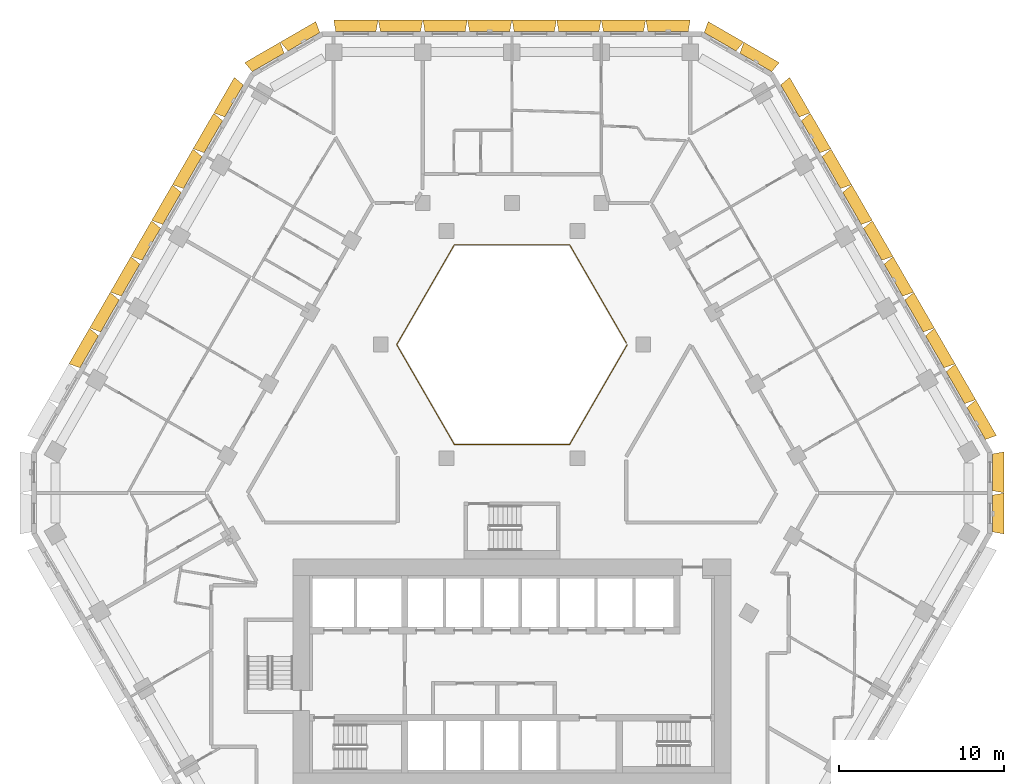
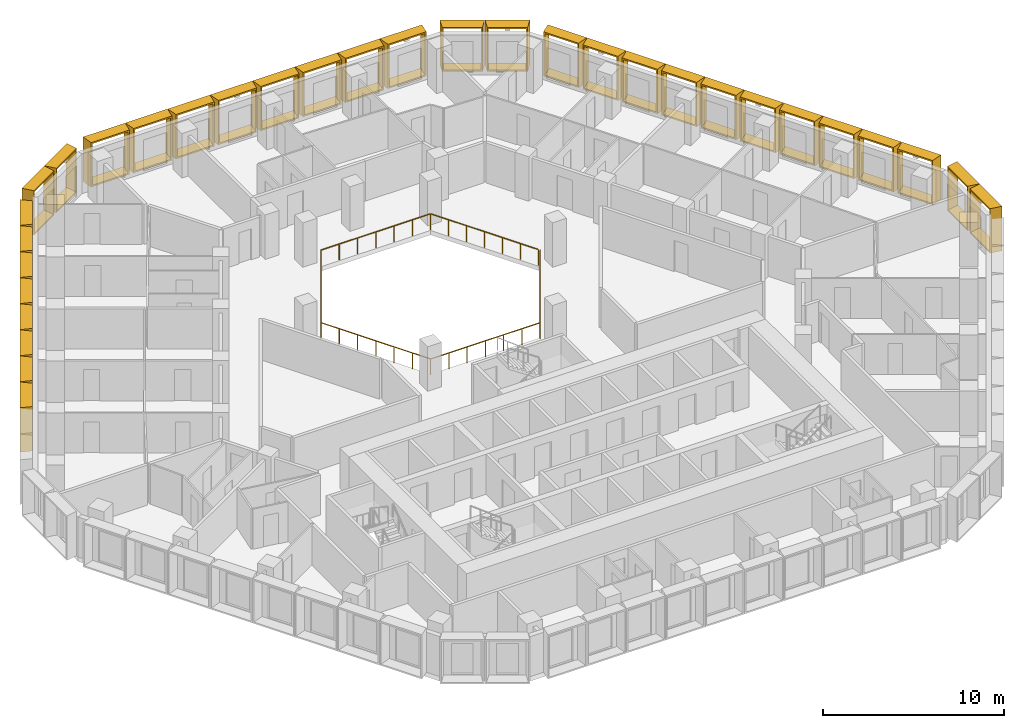
# One storey, part 18 of 18: 32 shading devices, 1 railing.
"""IFC4 building model written with IfcOpenShell, lengths in metres."""

from ifc_helpers import new_model, entity, si_unit, direction, frame, origin, origin_2d, place, context, subcontext, project, spatial, rectangle, extrude, source, transform, mapped, material, type_object, type_shapes, element, save


model = new_model("IFC4")

# Units and contexts
model_context = context("Model", 3, precision=1e-05, world=origin(), true_north=direction((0.0, 1.0)))
body_context = subcontext(model_context, "Body", "Model", "MODEL_VIEW")
ifc_project = project(units=[si_unit("LENGTHUNIT", "METRE"), si_unit("AREAUNIT", "SQUARE_METRE"), si_unit("VOLUMEUNIT", "CUBIC_METRE"), si_unit("PLANEANGLEUNIT", "RADIAN"), si_unit("MASSUNIT", "GRAM", prefix="KILO")], contexts=[model_context])

# Site, building, storey
site_placement = place(None, origin())
site = spatial("IfcSite", under=ifc_project, at=site_placement, CompositionType="ELEMENT")
building_placement = place(site_placement, origin())
building = spatial("IfcBuilding", under=site, at=building_placement, Name="Beryl Residences", CompositionType="ELEMENT")
storey_placement = place(building_placement, frame((0.0, 0.0, 99.0)))
storey = spatial("IfcBuildingStorey", under=building, at=storey_placement, Name="L30", CompositionType="ELEMENT", Elevation=99.0)

# Railing
ifc_material_1 = material(Name="Stainless steel balustrade with glass infill", Category="steel")
railing_type = type_object("IfcRailingType", Name="EG1 edge guard 1100 mm", PredefinedType="GUARDRAIL", material=ifc_material_1)
railing_placement = place(storey_placement, frame((6.9970703125, 8.0, 0.0)))
element("IfcRailing", 1, at=railing_placement, inside=storey, type_object=railing_type, Name="L30 atrium guard", PredefinedType="GUARDRAIL", context=body_context, shape_type="SweptSolid", body=[
    extrude(rectangle(XDim=0.048095703125, YDim=0.048095703125, at=origin_2d()), frame((0.0, 0.0, 1.076171875), z_axis=(-0.499921796684, -0.866070549782, 0.0), x_axis=(0.866070549782, -0.499921796684, 0.0)), (0.0, 0.0, 1.0), 6.9970703125),
    extrude(rectangle(XDim=0.048095703125, YDim=0.048095703125, at=origin_2d()), frame((-3.498046875, -6.06005859375, 1.076171875), z_axis=(-1.0, 0.0, 0.0), x_axis=(0.0, -1.0, 0.0)), (0.0, 0.0, 1.0), 6.998046875),
    extrude(rectangle(XDim=0.048095703125, YDim=0.048095703125, at=origin_2d()), frame((-10.49609375, -6.06005859375, 1.076171875), z_axis=(-0.499921796684, 0.866070549782, 0.0), x_axis=(-0.866070549782, -0.499921796684, 0.0)), (0.0, 0.0, 1.0), 6.9970703125),
    extrude(rectangle(XDim=0.048095703125, YDim=0.048095703125, at=origin_2d()), frame((-13.994140625, 0.0, 1.076171875), z_axis=(0.499921796684, 0.866070549782, 0.0), x_axis=(-0.866070549782, 0.499921796684, 0.0)), (0.0, 0.0, 1.0), 6.9970703125),
    extrude(rectangle(XDim=0.048095703125, YDim=0.048095703125, at=origin_2d()), frame((-10.49609375, 6.06005859375, 1.076171875), z_axis=(1.0, 0.0, 0.0), x_axis=(0.0, 1.0, 0.0)), (0.0, 0.0, 1.0), 6.998046875),
    extrude(rectangle(XDim=0.048095703125, YDim=0.048095703125, at=origin_2d()), frame((-3.498046875, 6.06005859375, 1.076171875), z_axis=(0.499919131929, -0.866072087953, 0.0), x_axis=(0.866072087953, 0.499919131929, 0.0)), (0.0, 0.0, 1.0), 6.877197265625),
    extrude(rectangle(XDim=0.0419921875, YDim=0.0419921875, at=origin_2d()), origin(), (0.0, 0.0, 1.0), 1.052001953125),
    extrude(rectangle(XDim=0.0419921875, YDim=0.0419921875, at=origin_2d()), frame((-0.5830078125, -1.010009765625, 0.0)), (0.0, 0.0, 1.0), 1.052001953125),
    extrude(rectangle(XDim=0.0419921875, YDim=0.0419921875, at=origin_2d()), frame((-1.166015625, -2.02001953125, 0.0)), (0.0, 0.0, 1.0), 1.052001953125),
    extrude(rectangle(XDim=0.0419921875, YDim=0.0419921875, at=origin_2d()), frame((-1.7490234375, -3.030029296875, 0.0)), (0.0, 0.0, 1.0), 1.052001953125),
    extrude(rectangle(XDim=0.0419921875, YDim=0.0419921875, at=origin_2d()), frame((-2.33203125, -4.0400390625, 0.0)), (0.0, 0.0, 1.0), 1.052001953125),
    extrude(rectangle(XDim=0.0419921875, YDim=0.0419921875, at=origin_2d()), frame((-2.9150390625, -5.050048828125, 0.0)), (0.0, 0.0, 1.0), 1.052001953125),
    extrude(rectangle(XDim=0.0419921875, YDim=0.0419921875, at=origin_2d()), frame((-3.498046875, -6.06005859375, 0.0)), (0.0, 0.0, 1.0), 1.052001953125),
    extrude(rectangle(XDim=0.0419921875, YDim=0.0419921875, at=origin_2d()), frame((-4.664306640625, -6.06005859375, 0.0)), (0.0, 0.0, 1.0), 1.052001953125),
    extrude(rectangle(XDim=0.0419921875, YDim=0.0419921875, at=origin_2d()), frame((-5.830810546875, -6.06005859375, 0.0)), (0.0, 0.0, 1.0), 1.052001953125),
    extrude(rectangle(XDim=0.0419921875, YDim=0.0419921875, at=origin_2d()), frame((-6.9970703125, -6.06005859375, 0.0)), (0.0, 0.0, 1.0), 1.052001953125),
    extrude(rectangle(XDim=0.0419921875, YDim=0.0419921875, at=origin_2d()), frame((-8.163330078125, -6.06005859375, 0.0)), (0.0, 0.0, 1.0), 1.052001953125),
    extrude(rectangle(XDim=0.0419921875, YDim=0.0419921875, at=origin_2d()), frame((-9.329833984375, -6.06005859375, 0.0)), (0.0, 0.0, 1.0), 1.052001953125),
    extrude(rectangle(XDim=0.0419921875, YDim=0.0419921875, at=origin_2d()), frame((-10.49609375, -6.06005859375, 0.0)), (0.0, 0.0, 1.0), 1.052001953125),
    extrude(rectangle(XDim=0.0419921875, YDim=0.0419921875, at=origin_2d()), frame((-11.0791015625, -5.050048828125, 0.0)), (0.0, 0.0, 1.0), 1.052001953125),
    extrude(rectangle(XDim=0.0419921875, YDim=0.0419921875, at=origin_2d()), frame((-11.662109375, -4.0400390625, 0.0)), (0.0, 0.0, 1.0), 1.052001953125),
    extrude(rectangle(XDim=0.0419921875, YDim=0.0419921875, at=origin_2d()), frame((-12.2451171875, -3.030029296875, 0.0)), (0.0, 0.0, 1.0), 1.052001953125),
    extrude(rectangle(XDim=0.0419921875, YDim=0.0419921875, at=origin_2d()), frame((-12.828125, -2.02001953125, 0.0)), (0.0, 0.0, 1.0), 1.052001953125),
    extrude(rectangle(XDim=0.0419921875, YDim=0.0419921875, at=origin_2d()), frame((-13.4111328125, -1.010009765625, 0.0)), (0.0, 0.0, 1.0), 1.052001953125),
    extrude(rectangle(XDim=0.0419921875, YDim=0.0419921875, at=origin_2d()), frame((-13.994140625, 0.0, 0.0)), (0.0, 0.0, 1.0), 1.052001953125),
    extrude(rectangle(XDim=0.0419921875, YDim=0.0419921875, at=origin_2d()), frame((-13.4111328125, 1.010009765625, 0.0)), (0.0, 0.0, 1.0), 1.052001953125),
    extrude(rectangle(XDim=0.0419921875, YDim=0.0419921875, at=origin_2d()), frame((-12.828125, 2.02001953125, 0.0)), (0.0, 0.0, 1.0), 1.052001953125),
    extrude(rectangle(XDim=0.0419921875, YDim=0.0419921875, at=origin_2d()), frame((-12.2451171875, 3.030029296875, 0.0)), (0.0, 0.0, 1.0), 1.052001953125),
    extrude(rectangle(XDim=0.0419921875, YDim=0.0419921875, at=origin_2d()), frame((-11.662109375, 4.0400390625, 0.0)), (0.0, 0.0, 1.0), 1.052001953125),
    extrude(rectangle(XDim=0.0419921875, YDim=0.0419921875, at=origin_2d()), frame((-11.0791015625, 5.050048828125, 0.0)), (0.0, 0.0, 1.0), 1.052001953125),
    extrude(rectangle(XDim=0.0419921875, YDim=0.0419921875, at=origin_2d()), frame((-10.49609375, 6.06005859375, 0.0)), (0.0, 0.0, 1.0), 1.052001953125),
    extrude(rectangle(XDim=0.0419921875, YDim=0.0419921875, at=origin_2d()), frame((-9.329833984375, 6.06005859375, 0.0)), (0.0, 0.0, 1.0), 1.052001953125),
    extrude(rectangle(XDim=0.0419921875, YDim=0.0419921875, at=origin_2d()), frame((-8.163330078125, 6.06005859375, 0.0)), (0.0, 0.0, 1.0), 1.052001953125),
    extrude(rectangle(XDim=0.0419921875, YDim=0.0419921875, at=origin_2d()), frame((-6.9970703125, 6.06005859375, 0.0)), (0.0, 0.0, 1.0), 1.052001953125),
    extrude(rectangle(XDim=0.0419921875, YDim=0.0419921875, at=origin_2d()), frame((-5.830810546875, 6.06005859375, 0.0)), (0.0, 0.0, 1.0), 1.052001953125),
    extrude(rectangle(XDim=0.0419921875, YDim=0.0419921875, at=origin_2d()), frame((-4.664306640625, 6.06005859375, 0.0)), (0.0, 0.0, 1.0), 1.052001953125),
    extrude(rectangle(XDim=0.0419921875, YDim=0.0419921875, at=origin_2d()), frame((-3.498046875, 6.06005859375, 0.0)), (0.0, 0.0, 1.0), 1.052001953125),
    extrude(rectangle(XDim=0.0419921875, YDim=0.0419921875, at=origin_2d()), frame((-2.925048828125, 5.0673828125, 0.0)), (0.0, 0.0, 1.0), 1.052001953125),
    extrude(rectangle(XDim=0.0419921875, YDim=0.0419921875, at=origin_2d()), frame((-2.35205078125, 4.07470703125, 0.0)), (0.0, 0.0, 1.0), 1.052001953125),
    extrude(rectangle(XDim=0.0419921875, YDim=0.0419921875, at=origin_2d()), frame((-1.779052734375, 3.08203125, 0.0)), (0.0, 0.0, 1.0), 1.052001953125),
    extrude(rectangle(XDim=0.0419921875, YDim=0.0419921875, at=origin_2d()), frame((-1.2060546875, 2.08935546875, 0.0)), (0.0, 0.0, 1.0), 1.052001953125),
    extrude(rectangle(XDim=0.0419921875, YDim=0.0419921875, at=origin_2d()), frame((-0.633056640625, 1.0966796875, 0.0)), (0.0, 0.0, 1.0), 1.052001953125),
    extrude(rectangle(XDim=0.0419921875, YDim=0.0419921875, at=origin_2d()), frame((-0.06005859375, 0.10400390625, 0.0)), (0.0, 0.0, 1.0), 1.052001953125),
])

# Shading devices
ifc_material_2 = material(Name="Aluminium pale anodised", Category="aluminium")
shading_device_type_1 = type_object("IfcShadingDeviceType", Name="FR250-70A OUTER SKIN frame 700 mm deep, splay 10/10 deg, 2500 x 3000 mm cell", PredefinedType="USERDEFINED", material=ifc_material_2)
cartesian_point_1 = entity("IfcCartesianPoint", [-1.116455078125, 0.0])
cartesian_point_2 = entity("IfcCartesianPoint", [-1.03515625, 0.10009765625])
cartesian_point_3 = entity("IfcCartesianPoint", [-1.239990234375, 0.0])
cartesian_point_4 = entity("IfcCartesianPoint", [-1.15869140625, 0.10009765625])
shared_shape_1 = source(origin(), body_context, "Body", "SweptSolid", [
    entity("IfcExtrudedAreaSolidTapered", entity("IfcArbitraryProfileDefWithVoids", "AREA", None, entity("IfcPolyline", [cartesian_point_1, entity("IfcCartesianPoint", [1.116455078125, 0.0]), entity("IfcCartesianPoint", [1.116455078125, 3.0]), entity("IfcCartesianPoint", [-1.116455078125, 3.0]), cartesian_point_1]), [entity("IfcPolyline", [cartesian_point_2, entity("IfcCartesianPoint", [1.03515625, 0.10009765625]), entity("IfcCartesianPoint", [1.03515625, 2.89990234375]), entity("IfcCartesianPoint", [-1.03515625, 2.89990234375]), cartesian_point_2])]), entity("IfcAxis2Placement3D", entity("IfcCartesianPoint", [0.0, 0.0, 0.0]), entity("IfcDirection", [0.0, 1.0, 0.0]), entity("IfcDirection", [-1.0, 0.0, 0.0])), entity("IfcDirection", [0.0, 0.0, 1.0]), 0.699951171875, entity("IfcArbitraryProfileDefWithVoids", "AREA", None, entity("IfcPolyline", [cartesian_point_3, entity("IfcCartesianPoint", [1.239990234375, 0.0]), entity("IfcCartesianPoint", [1.239990234375, 3.0]), entity("IfcCartesianPoint", [-1.239990234375, 3.0]), cartesian_point_3]), [entity("IfcPolyline", [cartesian_point_4, entity("IfcCartesianPoint", [1.15869140625, 0.10009765625]), entity("IfcCartesianPoint", [1.15869140625, 2.89990234375]), entity("IfcCartesianPoint", [-1.15869140625, 2.89990234375]), cartesian_point_4])])),
])
type_shapes(shading_device_type_1, [shared_shape_1])
for number, where, z_axis, x_axis, name in (
    (2, (-12.6298828125, 26.375, 0.0), (0.0, 0.0, 1.0), (0.866025403784, 0.5, 0.0), "FR250-70A frame L30 N-NW 1"),
    (3, (-14.7939453125, 25.125, 0.0), (0.0, 0.0, 1.0), (0.866025403784, 0.5, 0.0), "FR250-70A frame L30 N-NW 2"),
    (4, (29.156982421875, -2.25, 0.0), (0.0, 0.0, 1.0), (0.0, -1.0, 0.0), "FR250-70A frame L30 SE-NE 1"),
    (5, (29.156982421875, 0.25, 0.0), (0.0, 0.0, 1.0), (0.0, -1.0, 0.0), "FR250-70A frame L30 SE-NE 2"),
    (6, (14.7939453125, 25.125, 0.0), (0.0, 0.0, 1.0), (0.866025403784, -0.5, 0.0), "FR250-70A frame L30 NE-N 1"),
    (7, (12.6298828125, 26.375, 0.0), (0.0, 0.0, 1.0), (0.866025403784, -0.5, 0.0), "FR250-70A frame L30 NE-N 2"),
):
    element("IfcShadingDevice", number, at=place(storey_placement, frame(where, z_axis=z_axis, x_axis=x_axis)), inside=storey, type_object=shading_device_type_1, Name=name, ObjectType="OUTER SKIN", PredefinedType="USERDEFINED", context=body_context, shape_type="MappedRepresentation", body=[
        mapped(shared_shape_1, transform((0.0, 0.0, 0.0))),
    ])
ifc_material_3 = material(Name="Aluminium pale anodised", Category="aluminium")
shading_device_type_2 = type_object("IfcShadingDeviceType", Name="FR251-70A OUTER SKIN frame 700 mm deep, splay 10/10 deg, 2510 x 3000 mm cell", PredefinedType="USERDEFINED", material=ifc_material_3)
cartesian_point_5 = entity("IfcCartesianPoint", [-1.12158203125, 0.0])
cartesian_point_6 = entity("IfcCartesianPoint", [-1.040283203125, 0.10009765625])
cartesian_point_7 = entity("IfcCartesianPoint", [-1.244873046875, 0.0])
cartesian_point_8 = entity("IfcCartesianPoint", [-1.16357421875, 0.10009765625])
shared_shape_2 = source(origin(), body_context, "Body", "SweptSolid", [
    entity("IfcExtrudedAreaSolidTapered", entity("IfcArbitraryProfileDefWithVoids", "AREA", None, entity("IfcPolyline", [cartesian_point_5, entity("IfcCartesianPoint", [1.12158203125, 0.0]), entity("IfcCartesianPoint", [1.12158203125, 3.0]), entity("IfcCartesianPoint", [-1.12158203125, 3.0]), cartesian_point_5]), [entity("IfcPolyline", [cartesian_point_6, entity("IfcCartesianPoint", [1.040283203125, 0.10009765625]), entity("IfcCartesianPoint", [1.040283203125, 2.89990234375]), entity("IfcCartesianPoint", [-1.040283203125, 2.89990234375]), cartesian_point_6])]), entity("IfcAxis2Placement3D", entity("IfcCartesianPoint", [0.0, 0.0, 0.0]), entity("IfcDirection", [0.0, 1.0, 0.0]), entity("IfcDirection", [-1.0, 0.0, 0.0])), entity("IfcDirection", [0.0, 0.0, 1.0]), 0.699951171875, entity("IfcArbitraryProfileDefWithVoids", "AREA", None, entity("IfcPolyline", [cartesian_point_7, entity("IfcCartesianPoint", [1.244873046875, 0.0]), entity("IfcCartesianPoint", [1.244873046875, 3.0]), entity("IfcCartesianPoint", [-1.244873046875, 3.0]), cartesian_point_7]), [entity("IfcPolyline", [cartesian_point_8, entity("IfcCartesianPoint", [1.16357421875, 0.10009765625]), entity("IfcCartesianPoint", [1.16357421875, 2.89990234375]), entity("IfcCartesianPoint", [-1.16357421875, 2.89990234375]), cartesian_point_8])])),
])
type_shapes(shading_device_type_2, [shared_shape_2])
for number, where, z_axis, x_axis, name in (
    (8, (-16.865966796875, 22.7880859375, 0.0), (0.0, 0.0, 1.0), (0.5, 0.866025403784, 0.0), "FR251-70A frame L30 NW 1"),
    (9, (-18.1220703125, 20.613037109375, 0.0), (0.0, 0.0, 1.0), (0.5, 0.866025403784, 0.0), "FR251-70A frame L30 NW 2"),
    (10, (-19.376953125, 18.43798828125, 0.0), (0.0, 0.0, 1.0), (0.5, 0.866025403784, 0.0), "FR251-70A frame L30 NW 3"),
    (11, (-20.633056640625, 16.262939453125, 0.0), (0.0, 0.0, 1.0), (0.5, 0.866025403784, 0.0), "FR251-70A frame L30 NW 4"),
    (12, (-21.888916015625, 14.087890625, 0.0), (0.0, 0.0, 1.0), (0.5, 0.866025403784, 0.0), "FR251-70A frame L30 NW 5"),
    (13, (-23.14501953125, 11.9130859375, 0.0), (0.0, 0.0, 1.0), (0.5, 0.866025403784, 0.0), "FR251-70A frame L30 NW 6"),
    (14, (-24.39990234375, 9.738037109375, 0.0), (0.0, 0.0, 1.0), (0.5, 0.866025403784, 0.0), "FR251-70A frame L30 NW 7"),
    (15, (-25.656005859375, 7.56298828125, 0.0), (0.0, 0.0, 1.0), (0.5, 0.866025403784, 0.0), "FR251-70A frame L30 NW 8"),
    (16, (28.16796875, 3.2119140625, 0.0), (0.0, 0.0, 1.0), (0.5, -0.866025403784, 0.0), "FR251-70A frame L30 NE 1"),
    (17, (26.912109375, 5.386962890625, 0.0), (0.0, 0.0, 1.0), (0.5, -0.866025403784, 0.0), "FR251-70A frame L30 NE 2"),
    (18, (25.656982421875, 7.56201171875, 0.0), (0.0, 0.0, 1.0), (0.5, -0.866025403784, 0.0), "FR251-70A frame L30 NE 3"),
    (19, (24.40087890625, 9.737060546875, 0.0), (0.0, 0.0, 1.0), (0.5, -0.866025403784, 0.0), "FR251-70A frame L30 NE 4"),
    (20, (23.14501953125, 11.912109375, 0.0), (0.0, 0.0, 1.0), (0.5, -0.866025403784, 0.0), "FR251-70A frame L30 NE 5"),
    (21, (21.888916015625, 14.0869140625, 0.0), (0.0, 0.0, 1.0), (0.5, -0.866025403784, 0.0), "FR251-70A frame L30 NE 6"),
    (22, (20.634033203125, 16.261962890625, 0.0), (0.0, 0.0, 1.0), (0.5, -0.866025403784, 0.0), "FR251-70A frame L30 NE 7"),
    (23, (19.3779296875, 18.43701171875, 0.0), (0.0, 0.0, 1.0), (0.5, -0.866025403784, 0.0), "FR251-70A frame L30 NE 8"),
    (24, (18.1220703125, 20.612060546875, 0.0), (0.0, 0.0, 1.0), (0.5, -0.866025403784, 0.0), "FR251-70A frame L30 NE 9"),
    (25, (16.865966796875, 22.787109375, 0.0), (0.0, 0.0, 1.0), (0.5, -0.866025403784, 0.0), "FR251-70A frame L30 NE 10"),
):
    element("IfcShadingDevice", number, at=place(storey_placement, frame(where, z_axis=z_axis, x_axis=x_axis)), inside=storey, type_object=shading_device_type_2, Name=name, ObjectType="OUTER SKIN", PredefinedType="USERDEFINED", context=body_context, shape_type="MappedRepresentation", body=[
        mapped(shared_shape_2, transform((0.0, 0.0, 0.0))),
    ])
ifc_material_4 = material(Name="Aluminium pale anodised", Category="aluminium")
shading_device_type_3 = type_object("IfcShadingDeviceType", Name="FR271-70A OUTER SKIN frame 700 mm deep, splay 10/10 deg, 2710 x 3000 mm cell", PredefinedType="USERDEFINED", material=ifc_material_4)
cartesian_point_9 = entity("IfcCartesianPoint", [-1.221435546875, 0.0])
cartesian_point_10 = entity("IfcCartesianPoint", [-1.140380859375, 0.10009765625])
cartesian_point_11 = entity("IfcCartesianPoint", [-1.344970703125, 0.0])
cartesian_point_12 = entity("IfcCartesianPoint", [-1.263671875, 0.10009765625])
shared_shape_3 = source(origin(), body_context, "Body", "SweptSolid", [
    entity("IfcExtrudedAreaSolidTapered", entity("IfcArbitraryProfileDefWithVoids", "AREA", None, entity("IfcPolyline", [cartesian_point_9, entity("IfcCartesianPoint", [1.221435546875, 0.0]), entity("IfcCartesianPoint", [1.221435546875, 3.0]), entity("IfcCartesianPoint", [-1.221435546875, 3.0]), cartesian_point_9]), [entity("IfcPolyline", [cartesian_point_10, entity("IfcCartesianPoint", [1.140380859375, 0.10009765625]), entity("IfcCartesianPoint", [1.140380859375, 2.89990234375]), entity("IfcCartesianPoint", [-1.140380859375, 2.89990234375]), cartesian_point_10])]), entity("IfcAxis2Placement3D", entity("IfcCartesianPoint", [0.0, 0.0, 0.0]), entity("IfcDirection", [0.0, 1.0, 0.0]), entity("IfcDirection", [-1.0, 0.0, 0.0])), entity("IfcDirection", [0.0, 0.0, 1.0]), 0.699951171875, entity("IfcArbitraryProfileDefWithVoids", "AREA", None, entity("IfcPolyline", [cartesian_point_11, entity("IfcCartesianPoint", [1.344970703125, 0.0]), entity("IfcCartesianPoint", [1.344970703125, 3.0]), entity("IfcCartesianPoint", [-1.344970703125, 3.0]), cartesian_point_11]), [entity("IfcPolyline", [cartesian_point_12, entity("IfcCartesianPoint", [1.263671875, 0.10009765625]), entity("IfcCartesianPoint", [1.263671875, 2.89990234375]), entity("IfcCartesianPoint", [-1.263671875, 2.89990234375]), cartesian_point_12])])),
])
type_shapes(shading_device_type_3, [shared_shape_3])
for number, where, z_axis, x_axis, name in (
    (26, (9.471923828125, 27.0, 0.0), (0.0, 0.0, 1.0), (1.0, 0.0, 0.0), "FR271-70A frame L30 N 1"),
    (27, (6.764892578125, 27.0, 0.0), (0.0, 0.0, 1.0), (1.0, 0.0, 0.0), "FR271-70A frame L30 N 2"),
    (28, (4.05908203125, 27.0, 0.0), (0.0, 0.0, 1.0), (1.0, 0.0, 0.0), "FR271-70A frame L30 N 3"),
    (29, (1.35205078125, 27.0, 0.0), (0.0, 0.0, 1.0), (1.0, 0.0, 0.0), "FR271-70A frame L30 N 4"),
    (30, (-1.35400390625, 27.0, 0.0), (0.0, 0.0, 1.0), (1.0, 0.0, 0.0), "FR271-70A frame L30 N 5"),
    (31, (-4.06103515625, 27.0, 0.0), (0.0, 0.0, 1.0), (1.0, 0.0, 0.0), "FR271-70A frame L30 N 6"),
    (32, (-6.76708984375, 27.0, 0.0), (0.0, 0.0, 1.0), (1.0, 0.0, 0.0), "FR271-70A frame L30 N 7"),
    (33, (-9.47412109375, 27.0, 0.0), (0.0, 0.0, 1.0), (1.0, 0.0, 0.0), "FR271-70A frame L30 N 8"),
):
    element("IfcShadingDevice", number, at=place(storey_placement, frame(where, z_axis=z_axis, x_axis=x_axis)), inside=storey, type_object=shading_device_type_3, Name=name, ObjectType="OUTER SKIN", PredefinedType="USERDEFINED", context=body_context, shape_type="MappedRepresentation", body=[
        mapped(shared_shape_3, transform((0.0, 0.0, 0.0))),
    ])

save(model, "model.ifc")
